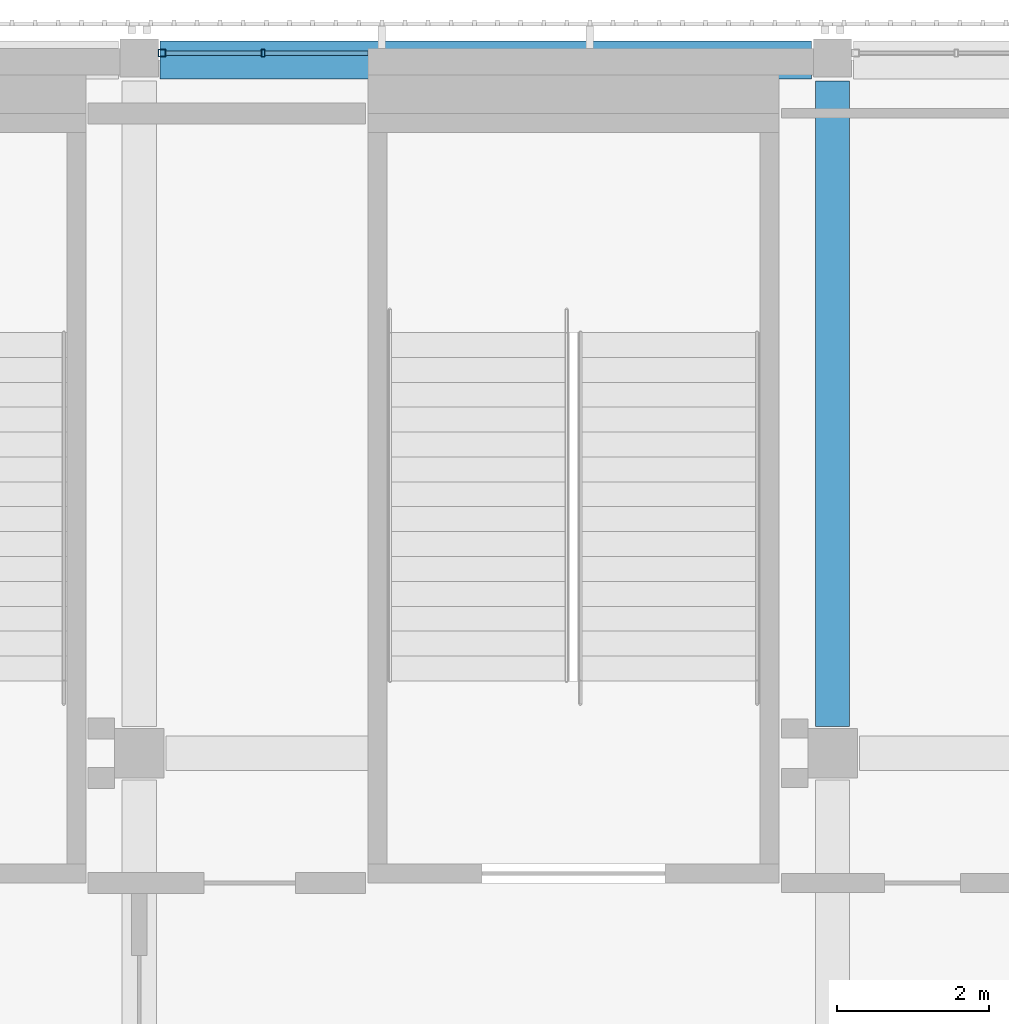
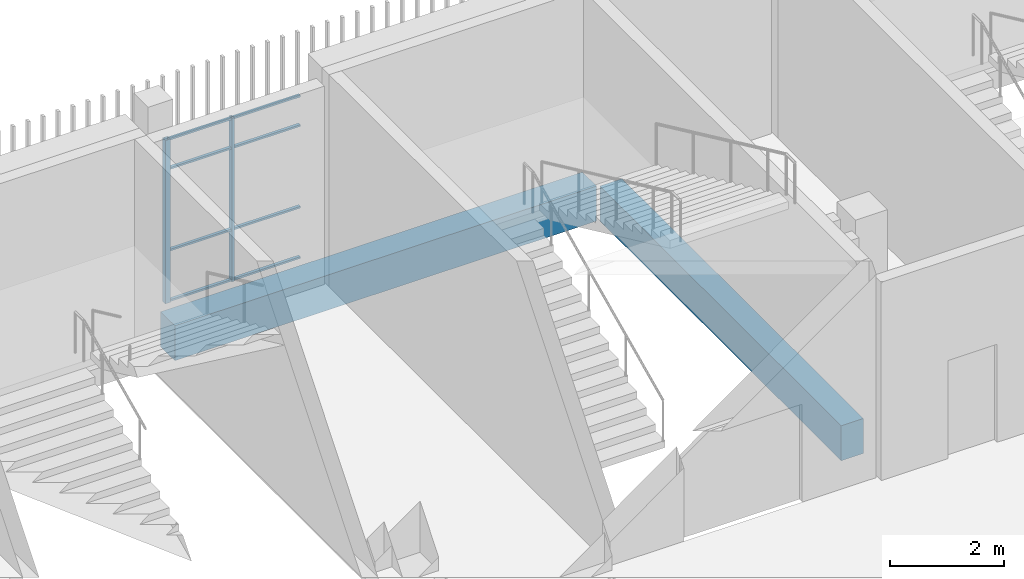
# One storey, part 39 of 104: 10 members, 2 beams, 1 element without a shape of its own.
"""IFC4 building model written with IfcOpenShell, lengths in metres."""

from ifc_helpers import new_model, si_unit, direction, frame, origin, origin_2d, place, context, subcontext, project, spatial, rectangle, hollow_rectangle, extrude, material, layer, layer_set, material_profile, profile_set, type_object, element, aggregate, save


model = new_model("IFC4")

# Units and contexts
model_context = context("Model", 3, precision=1e-05, world=origin(), true_north=direction((0.0, 1.0)))
body_context = subcontext(model_context, "Body", "Model", "MODEL_VIEW")
ifc_project = project(units=[si_unit("LENGTHUNIT", "METRE"), si_unit("AREAUNIT", "SQUARE_METRE"), si_unit("VOLUMEUNIT", "CUBIC_METRE"), si_unit("PLANEANGLEUNIT", "RADIAN"), si_unit("MASSUNIT", "GRAM", prefix="KILO")], contexts=[model_context])

# Site, building, storey
site_placement = place(None, origin())
site = spatial("IfcSite", under=ifc_project, at=site_placement, CompositionType="ELEMENT")
building_placement = place(site_placement, origin())
building = spatial("IfcBuilding", under=site, at=building_placement, Name="Shirokan Park Arena", CompositionType="ELEMENT")
storey_placement = place(building_placement, frame((0.0, 0.0, 10.919921875)))
storey = spatial("IfcBuildingStorey", under=building, at=storey_placement, Name="L02", CompositionType="ELEMENT", Elevation=10.919921875)

# Curtain wall, members
ifc_material_1 = material(Name="Steel and glass curtain wall", Category="steel")
ifc_layer = layer(ifc_material_1, 0.1201171875)
ifc_layer_set = layer_set([ifc_layer], Name="Steel and glass curtain wall 120 mm")
curtain_wall_type = type_object("IfcCurtainWallType", Name="Curtain wall corner block side bay 120", PredefinedType="NOTDEFINED", material=ifc_layer_set)
curtain_wall_placement = place(storey_placement, origin())
curtain_wall = element("IfcCurtainWall", 1, at=curtain_wall_placement, inside=storey, type_object=curtain_wall_type, Name="Curtain wall north bay 3 L02", PredefinedType="NOTDEFINED")
ifc_material_2 = material(Name="Steel S355", Category="steel")
ifc_material_profile_1 = material_profile(ifc_material_2, hollow_rectangle(XDim=0.10009765625, YDim=0.10009765625, WallThickness=0.006103515625, at=origin_2d()), Name="RHS 100x100x6")
ifc_profile_set_1 = profile_set([ifc_material_profile_1], Name="Steel S355")
member_type_1 = type_object("IfcMemberType", Name="Mullion RHS 100x100x6", PredefinedType="MULLION", material=ifc_profile_set_1)
member_1_placement = place(storey_placement, frame((118.60009765625, 109.2900390625, 0.0), z_axis=(0.0, 0.0, 1.0), x_axis=(0.0, -1.0, 0.0)))
member_1 = element("IfcMember", 2, at=member_1_placement, type_object=member_type_1, Name="CW3 mullion 3", PredefinedType="MULLION", context=body_context, shape_type="SweptSolid", body=[
    extrude(hollow_rectangle(XDim=0.10009765625, YDim=0.10009765625, WallThickness=0.006103515625, at=origin_2d()), origin(), (0.0, 0.0, 1.0), 3.5),
])
ifc_material_profile_2 = material_profile(ifc_material_2, hollow_rectangle(XDim=0.10009765625, YDim=0.050048828125, WallThickness=0.0048828125, at=origin_2d()), Name="RHS 100x50x5")
ifc_profile_set_2 = profile_set([ifc_material_profile_2], Name="Steel S355")
member_type_2 = type_object("IfcMemberType", Name="Mullion RHS 100x50x5", PredefinedType="MULLION", material=ifc_profile_set_2)
member_2_placement = place(storey_placement, frame((119.925048828125, 109.2900390625, 0.0), z_axis=(0.0, 0.0, 1.0), x_axis=(0.0, -1.0, 0.0)))
member_2 = element("IfcMember", 3, at=member_2_placement, type_object=member_type_2, Name="CW3 mullion 2", PredefinedType="MULLION", context=body_context, shape_type="SweptSolid", body=[
    extrude(hollow_rectangle(XDim=0.10009765625, YDim=0.050048828125, WallThickness=0.0048828125, at=origin_2d()), origin(), (0.0, 0.0, 1.0), 3.5),
])

# Beams
ifc_material_3 = material(Name="Concrete C35", Category="concrete")
ifc_material_profile_3 = material_profile(ifc_material_3, rectangle(XDim=0.449951171875, YDim=0.75, at=origin_2d()), Name="450x750")
ifc_profile_set_3 = profile_set([ifc_material_profile_3], Name="Concrete C35")
beam_type_1 = type_object("IfcBeamType", Name="RC girder 450x750", PredefinedType="BEAM", material=ifc_profile_set_3)
beam_1_placement = place(storey_placement, frame((127.39990234375, 100.4501953125, -0.6748046875), z_axis=(0.0, 1.0, 0.0), x_axis=(-1.0, 0.0, 0.0)))
element("IfcBeam", 4, at=beam_1_placement, inside=storey, type_object=beam_type_1, Name="Girder 15M-15N L02", PredefinedType="BEAM", context=body_context, shape_type="SweptSolid", body=[
    extrude(rectangle(XDim=0.449951171875, YDim=0.75, at=origin_2d()), origin(), (0.0, 0.0, 1.0), 8.474609375),
])
ifc_material_profile_4 = material_profile(ifc_material_3, rectangle(XDim=0.5, YDim=0.75, at=origin_2d()), Name="500x750")
ifc_profile_set_4 = profile_set([ifc_material_profile_4], Name="Concrete C35")
beam_type_2 = type_object("IfcBeamType", Name="RC girder 500x750", PredefinedType="BEAM", material=ifc_profile_set_4)
beam_2_placement = place(storey_placement, frame((118.5751953125, 109.199951171875, -0.6748046875), z_axis=(1.0, 0.0, 0.0), x_axis=(0.0, 1.0, 0.0)))
element("IfcBeam", 5, at=beam_2_placement, inside=storey, type_object=beam_type_2, Name="Girder 14N-15N L02", PredefinedType="BEAM", context=body_context, shape_type="SweptSolid", body=[
    extrude(rectangle(XDim=0.5, YDim=0.75, at=origin_2d()), origin(), (0.0, 0.0, 1.0), 8.5498046875),
])

# Member
ifc_material_profile_5 = material_profile(ifc_material_2, hollow_rectangle(XDim=0.06005859375, YDim=0.0400390625, WallThickness=0.00390625, at=origin_2d()), Name="RHS 60x40x4")
ifc_profile_set_5 = profile_set([ifc_material_profile_5], Name="Steel S355")
member_type_3 = type_object("IfcMemberType", Name="Transom RHS 60x40x4", PredefinedType="MULLION", material=ifc_profile_set_5)
member_3_placement = place(storey_placement, frame((121.300048828125, 109.2900390625, 0.02001953125), z_axis=(-1.0, 0.0, 0.0), x_axis=(0.0, -1.0, 0.0)))
member_3 = element("IfcMember", 6, at=member_3_placement, type_object=member_type_3, Name="CW3 transom 1.1", PredefinedType="MULLION", context=body_context, shape_type="SweptSolid", body=[
    extrude(hollow_rectangle(XDim=0.06005859375, YDim=0.0400390625, WallThickness=0.00390625, at=origin_2d()), origin(), (0.0, 0.0, 1.0), 1.35009765625),
])

member_4_placement = place(storey_placement, frame((121.300048828125, 109.2900390625, 1.10009765625), z_axis=(-1.0, 0.0, 0.0), x_axis=(0.0, -1.0, 0.0)))
member_4 = element("IfcMember", 7, at=member_4_placement, type_object=member_type_3, Name="CW3 transom 1.2", PredefinedType="MULLION", context=body_context, shape_type="SweptSolid", body=[
    extrude(hollow_rectangle(XDim=0.06005859375, YDim=0.0400390625, WallThickness=0.00390625, at=origin_2d()), origin(), (0.0, 0.0, 1.0), 1.35009765625),
])

member_5_placement = place(storey_placement, frame((121.300048828125, 109.2900390625, 2.85009765625), z_axis=(-1.0, 0.0, 0.0), x_axis=(0.0, -1.0, 0.0)))
member_5 = element("IfcMember", 8, at=member_5_placement, type_object=member_type_3, Name="CW3 transom 1.3", PredefinedType="MULLION", context=body_context, shape_type="SweptSolid", body=[
    extrude(hollow_rectangle(XDim=0.06005859375, YDim=0.0400390625, WallThickness=0.00390625, at=origin_2d()), origin(), (0.0, 0.0, 1.0), 1.35009765625),
])

member_6_placement = place(storey_placement, frame((121.300048828125, 109.2900390625, 3.47998046875), z_axis=(-1.0, 0.0, 0.0), x_axis=(0.0, -1.0, 0.0)))
member_6 = element("IfcMember", 9, at=member_6_placement, type_object=member_type_3, Name="CW3 transom 1.4", PredefinedType="MULLION", context=body_context, shape_type="SweptSolid", body=[
    extrude(hollow_rectangle(XDim=0.06005859375, YDim=0.0400390625, WallThickness=0.00390625, at=origin_2d()), origin(), (0.0, 0.0, 1.0), 1.35009765625),
])

member_7_placement = place(storey_placement, frame((119.89990234375, 109.2900390625, 0.02001953125), z_axis=(-1.0, 0.0, 0.0), x_axis=(0.0, -1.0, 0.0)))
member_7 = element("IfcMember", 10, at=member_7_placement, type_object=member_type_3, Name="CW3 transom 2.1", PredefinedType="MULLION", context=body_context, shape_type="SweptSolid", body=[
    extrude(hollow_rectangle(XDim=0.06005859375, YDim=0.0400390625, WallThickness=0.00390625, at=origin_2d()), origin(), (0.0, 0.0, 1.0), 1.25),
])

member_8_placement = place(storey_placement, frame((119.89990234375, 109.2900390625, 1.10009765625), z_axis=(-1.0, 0.0, 0.0), x_axis=(0.0, -1.0, 0.0)))
member_8 = element("IfcMember", 11, at=member_8_placement, type_object=member_type_3, Name="CW3 transom 2.2", PredefinedType="MULLION", context=body_context, shape_type="SweptSolid", body=[
    extrude(hollow_rectangle(XDim=0.06005859375, YDim=0.0400390625, WallThickness=0.00390625, at=origin_2d()), origin(), (0.0, 0.0, 1.0), 1.25),
])

member_9_placement = place(storey_placement, frame((119.89990234375, 109.2900390625, 2.85009765625), z_axis=(-1.0, 0.0, 0.0), x_axis=(0.0, -1.0, 0.0)))
member_9 = element("IfcMember", 12, at=member_9_placement, type_object=member_type_3, Name="CW3 transom 2.3", PredefinedType="MULLION", context=body_context, shape_type="SweptSolid", body=[
    extrude(hollow_rectangle(XDim=0.06005859375, YDim=0.0400390625, WallThickness=0.00390625, at=origin_2d()), origin(), (0.0, 0.0, 1.0), 1.25),
])

member_10_placement = place(storey_placement, frame((119.89990234375, 109.2900390625, 3.47998046875), z_axis=(-1.0, 0.0, 0.0), x_axis=(0.0, -1.0, 0.0)))
member_10 = element("IfcMember", 13, at=member_10_placement, type_object=member_type_3, Name="CW3 transom 2.4", PredefinedType="MULLION", context=body_context, shape_type="SweptSolid", body=[
    extrude(hollow_rectangle(XDim=0.06005859375, YDim=0.0400390625, WallThickness=0.00390625, at=origin_2d()), origin(), (0.0, 0.0, 1.0), 1.25),
])

aggregate(curtain_wall, [member_2, member_1, member_3, member_4, member_5, member_6, member_7, member_8, member_9, member_10])

save(model, "model.ifc")
